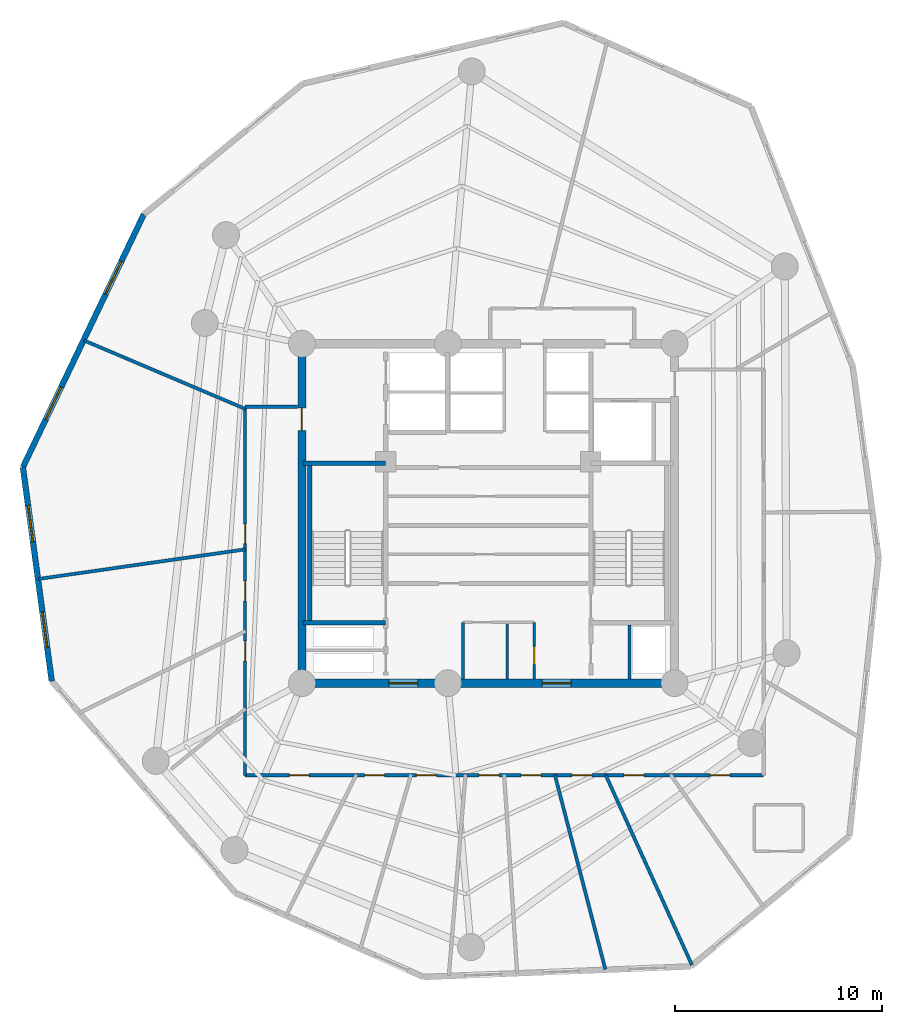
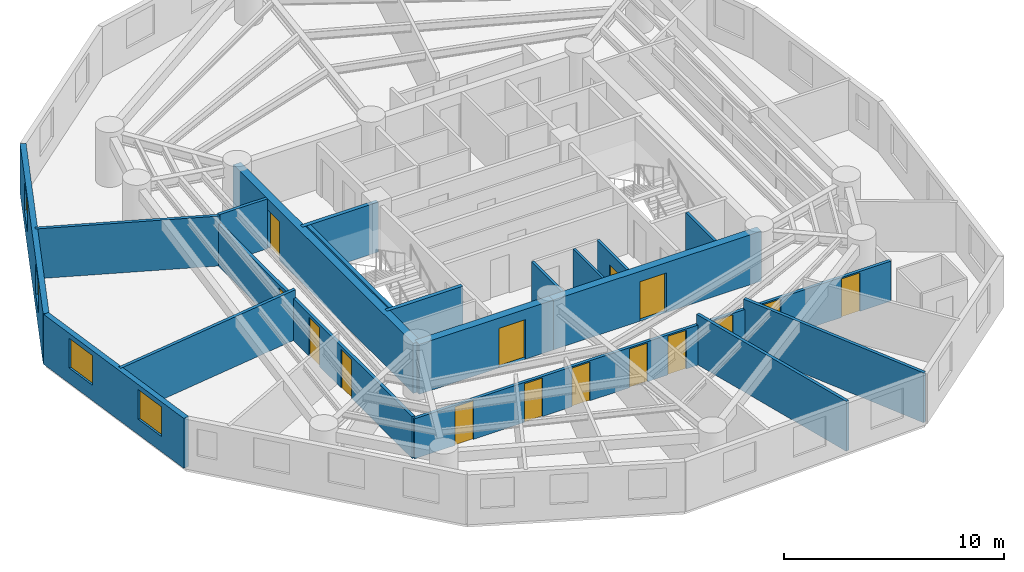
# One storey, part 3 of 7: 19 walls, 15 doors, 4 windows, 19 openings.
"""IFC4 building model written with IfcOpenShell, lengths in metres."""

from ifc_helpers import new_model, si_unit, direction, frame, frame_2d, origin, origin_with_axes, place, context, subcontext, project, spatial, rectangle, extrude, source, transform, mapped, material, layer, layer_set, type_object, element, fill, save


model = new_model("IFC4")

# Units and contexts
model_context = context("Model", 3, precision=1e-05, world=origin(), true_north=direction((0.0, 1.0)))
body_context = subcontext(model_context, "Body", "Model", "MODEL_VIEW")
ifc_project = project(units=[si_unit("LENGTHUNIT", "METRE"), si_unit("AREAUNIT", "SQUARE_METRE"), si_unit("VOLUMEUNIT", "CUBIC_METRE"), si_unit("PLANEANGLEUNIT", "RADIAN"), si_unit("MASSUNIT", "GRAM", prefix="KILO")], contexts=[model_context])

# Site, building, storey
site_placement = place(None, origin())
site = spatial("IfcSite", under=ifc_project, at=site_placement, CompositionType="ELEMENT")
building_placement = place(site_placement, origin())
building = spatial("IfcBuilding", under=site, at=building_placement, Name="Karkom Vertical University and Central Library", CompositionType="ELEMENT")
storey_placement = place(building_placement, frame((0.0, 0.0, 205.35009765625)))
storey = spatial("IfcBuildingStorey", under=building, at=storey_placement, Name="L60", CompositionType="ELEMENT", Elevation=205.35009765625)

# Wall, openings, windows
ifc_material_1 = material(Name="Brick-faced precast concrete C45/55", Category="masonry")
ifc_layer_1 = layer(ifc_material_1, 0.280029296875)
ifc_layer_set_1 = layer_set([ifc_layer_1], Name="Brick-faced precast concrete C45/55")
wall_type_1 = type_object("IfcWallType", Name="ENV-WL-BRK-280", PredefinedType="SOLIDWALL", material=ifc_layer_set_1)
wall_1_placement = place(storey_placement, frame((6.017578125, 28.7353515625, 0.0), z_axis=(0.0, 0.0, 1.0), x_axis=(0.133628013706, -0.991031560523, 0.0)))
wall_1 = element("IfcWall", 1, at=wall_1_placement, inside=storey, type_object=wall_type_1, Name="Level 60 Brick-Faced Precast Facade Wall 01", PredefinedType="SOLIDWALL", context=body_context, shape_type="SweptSolid", body=[
    extrude(rectangle(XDim=10.439453125, YDim=0.280029296875, at=frame_2d((5.2197265625, 0.0))), origin(), (0.0, 0.0, 1.0), 2.77490234375),
])
opening_1_placement = place(wall_1_placement, frame((1.882080078125, 0.0, 0.85009765625)))
opening_1 = element("IfcOpeningElement", 2, at=opening_1_placement, cuts=wall_1, Name="Opening WN-08", PredefinedType="OPENING", context=body_context, shape_type="SweptSolid", body=[
    extrude(rectangle(XDim=1.75, YDim=1.64990234375, at=frame_2d((0.875, 0.824951171875))), frame((0.0, 0.14990234375, 0.0), z_axis=(0.0, -1.0, 0.0), x_axis=(1.0, 0.0, 0.0)), (0.0, 0.0, 1.0), 0.300048828125),
])
opening_2_placement = place(wall_1_placement, frame((7.0419921875, 0.0, 0.85009765625)))
opening_2 = element("IfcOpeningElement", 3, at=opening_2_placement, cuts=wall_1, Name="Opening WN-08", PredefinedType="OPENING", context=body_context, shape_type="SweptSolid", body=[
    extrude(rectangle(XDim=1.75, YDim=1.64990234375, at=frame_2d((0.875, 0.824951171875))), frame((0.0, 0.14990234375, 0.0), z_axis=(0.0, -1.0, 0.0), x_axis=(1.0, 0.0, 0.0)), (0.0, 0.0, 1.0), 0.300048828125),
])
ifc_material_2 = material(Name="Aluminium thermal-break frame with solar-control IGU", Category="aluminium")
window_type = type_object("IfcWindowType", Name="ENV-WIN-WN-08", PartitioningType="SINGLE_PANEL", PredefinedType="WINDOW", material=ifc_material_2)
shared_shape_1 = source(origin_with_axes(), body_context, "Body", "SweptSolid", [
    extrude(rectangle(XDim=1.75, YDim=1.64990234375, at=frame_2d((0.875, 0.824951171875))), frame((0.0, 0.030029296875, 0.0), z_axis=(0.0, -1.0, 0.0), x_axis=(1.0, 0.0, 0.0)), (0.0, 0.0, 1.0), 0.06005859375),
])
window_1_placement = place(opening_1_placement, origin())
window_1 = element("IfcWindow", 4, at=window_1_placement, inside=storey, type_object=window_type, Name="Level 60 Punched Window 1.1", OverallHeight=1.64990234375, OverallWidth=1.75, PartitioningType="SINGLE_PANEL", PredefinedType="WINDOW", context=body_context, shape_type="MappedRepresentation", body=[
    mapped(shared_shape_1, transform((0.0, 0.0, 0.0), scale=1.0)),
])
fill(opening_1, window_1)
window_2_placement = place(opening_2_placement, origin())
window_2 = element("IfcWindow", 5, at=window_2_placement, inside=storey, type_object=window_type, Name="Level 60 Punched Window 1.2", OverallHeight=1.64990234375, OverallWidth=1.75, PartitioningType="SINGLE_PANEL", PredefinedType="WINDOW", context=body_context, shape_type="MappedRepresentation", body=[
    mapped(shared_shape_1, transform((0.0, 0.0, 0.0), scale=1.0)),
])
fill(opening_2, window_2)

wall_2_placement = place(storey_placement, frame((11.859619140625, 40.95458984375, 0.0), z_axis=(0.0, 0.0, 1.0), x_axis=(-0.431338769866, -0.902190038523, 0.0)))
wall_2 = element("IfcWall", 6, at=wall_2_placement, inside=storey, type_object=wall_type_1, Name="Level 60 Brick-Faced Precast Facade Wall 12", PredefinedType="SOLIDWALL", context=body_context, shape_type="SweptSolid", body=[
    extrude(rectangle(XDim=13.5439453125, YDim=0.280029296875, at=frame_2d((6.77197265625, 0.0))), origin(), (0.0, 0.0, 1.0), 2.77490234375),
])
opening_3_placement = place(wall_2_placement, frame((2.52880859375, 0.0, 0.85009765625)))
opening_3 = element("IfcOpeningElement", 7, at=opening_3_placement, cuts=wall_2, Name="Opening WN-08", PredefinedType="OPENING", context=body_context, shape_type="SweptSolid", body=[
    extrude(rectangle(XDim=1.75, YDim=1.64990234375, at=frame_2d((0.875, 0.824951171875))), frame((0.0, 0.14990234375, 0.0), z_axis=(0.0, -1.0, 0.0), x_axis=(1.0, 0.0, 0.0)), (0.0, 0.0, 1.0), 0.300048828125),
])
opening_4_placement = place(wall_2_placement, frame((9.24072265625, 0.0, 0.85009765625)))
opening_4 = element("IfcOpeningElement", 8, at=opening_4_placement, cuts=wall_2, Name="Opening WN-08", PredefinedType="OPENING", context=body_context, shape_type="SweptSolid", body=[
    extrude(rectangle(XDim=1.75, YDim=1.64990234375, at=frame_2d((0.875, 0.824951171875))), frame((0.0, 0.14990234375, 0.0), z_axis=(0.0, -1.0, 0.0), x_axis=(1.0, 0.0, 0.0)), (0.0, 0.0, 1.0), 0.300048828125),
])
window_3_placement = place(opening_3_placement, origin())
window_3 = element("IfcWindow", 9, at=window_3_placement, inside=storey, type_object=window_type, Name="Level 60 Punched Window 12.1", OverallHeight=1.64990234375, OverallWidth=1.75, PartitioningType="SINGLE_PANEL", PredefinedType="WINDOW", context=body_context, shape_type="MappedRepresentation", body=[
    mapped(shared_shape_1, transform((0.0, 0.0, 0.0), scale=1.0)),
])
fill(opening_3, window_3)
window_4_placement = place(opening_4_placement, origin())
window_4 = element("IfcWindow", 10, at=window_4_placement, inside=storey, type_object=window_type, Name="Level 60 Punched Window 12.2", OverallHeight=1.64990234375, OverallWidth=1.75, PartitioningType="SINGLE_PANEL", PredefinedType="WINDOW", context=body_context, shape_type="MappedRepresentation", body=[
    mapped(shared_shape_1, transform((0.0, 0.0, 0.0), scale=1.0)),
])
fill(opening_4, window_4)

# Wall, openings, doors
ifc_material_3 = material(Name="Insulated metal-stud drywall 160mm", Category="gypsum")
ifc_layer_2 = layer(ifc_material_3, 0.159912109375)
ifc_layer_set_2 = layer_set([ifc_layer_2], Name="Insulated metal-stud drywall 160mm")
wall_type_2 = type_object("IfcWallType", Name="INT-WL-COR-160", PredefinedType="PARTITIONING", material=ifc_layer_set_2)
wall_3_placement = place(storey_placement, frame((41.800048828125, 13.85009765625, 0.0), z_axis=(0.0, 0.0, 1.0), x_axis=(-1.0, 0.0, 0.0)))
wall_3 = element("IfcWall", 11, at=wall_3_placement, inside=storey, type_object=wall_type_2, Name="Level 60 Interior Partition Wall L60-CORW-CW-001", PredefinedType="PARTITIONING", context=body_context, shape_type="SweptSolid", body=[
    extrude(rectangle(XDim=25.050048828125, YDim=0.159912109375, at=frame_2d((12.52490234375, 0.0))), origin(), (0.0, 0.0, 1.0), 2.224853515625),
])
opening_5_placement = place(wall_3_placement, frame((1.6201171875, 0.0, 0.0)))
opening_5 = element("IfcOpeningElement", 12, at=opening_5_placement, cuts=wall_3, Name="Opening FD-RM2", PredefinedType="OPENING", context=body_context, shape_type="SweptSolid", body=[
    extrude(rectangle(XDim=0.9599609375, YDim=2.14990234375, at=frame_2d((0.47998046875, 1.074951171875))), frame((0.0, 0.08984375, 0.0), z_axis=(0.0, -1.0, 0.0), x_axis=(1.0, 0.0, 0.0)), (0.0, 0.0, 1.0), 0.179931640625),
])
opening_6_placement = place(wall_3_placement, frame((21.951904296875, 0.0, 0.0)))
opening_6 = element("IfcOpeningElement", 13, at=opening_6_placement, cuts=wall_3, Name="Opening FD-RM2", PredefinedType="OPENING", context=body_context, shape_type="SweptSolid", body=[
    extrude(rectangle(XDim=0.9599609375, YDim=2.14990234375, at=frame_2d((0.47998046875, 1.074951171875))), frame((0.0, 0.08984375, 0.0), z_axis=(0.0, -1.0, 0.0), x_axis=(1.0, 0.0, 0.0)), (0.0, 0.0, 1.0), 0.179931640625),
])
opening_7_placement = place(wall_3_placement, frame((18.3125, 0.0, 0.0)))
opening_7 = element("IfcOpeningElement", 14, at=opening_7_placement, cuts=wall_3, Name="Opening FD-RM2", PredefinedType="OPENING", context=body_context, shape_type="SweptSolid", body=[
    extrude(rectangle(XDim=0.9599609375, YDim=2.14990234375, at=frame_2d((0.47998046875, 1.074951171875))), frame((0.0, 0.08984375, 0.0), z_axis=(0.0, -1.0, 0.0), x_axis=(1.0, 0.0, 0.0)), (0.0, 0.0, 1.0), 0.179931640625),
])
opening_8_placement = place(wall_3_placement, frame((15.8076171875, 0.0, 0.0)))
opening_8 = element("IfcOpeningElement", 15, at=opening_8_placement, cuts=wall_3, Name="Opening FD-RM2", PredefinedType="OPENING", context=body_context, shape_type="SweptSolid", body=[
    extrude(rectangle(XDim=0.9599609375, YDim=2.14990234375, at=frame_2d((0.47998046875, 1.074951171875))), frame((0.0, 0.08984375, 0.0), z_axis=(0.0, -1.0, 0.0), x_axis=(1.0, 0.0, 0.0)), (0.0, 0.0, 1.0), 0.179931640625),
])
opening_9_placement = place(wall_3_placement, frame((12.7900390625, 0.0, 0.0)))
opening_9 = element("IfcOpeningElement", 16, at=opening_9_placement, cuts=wall_3, Name="Opening FD-RM2", PredefinedType="OPENING", context=body_context, shape_type="SweptSolid", body=[
    extrude(rectangle(XDim=0.9599609375, YDim=2.14990234375, at=frame_2d((0.47998046875, 1.074951171875))), frame((0.0, 0.08984375, 0.0), z_axis=(0.0, -1.0, 0.0), x_axis=(1.0, 0.0, 0.0)), (0.0, 0.0, 1.0), 0.179931640625),
])
opening_10_placement = place(wall_3_placement, frame((10.75634765625, 0.0, 0.0)))
opening_10 = element("IfcOpeningElement", 17, at=opening_10_placement, cuts=wall_3, Name="Opening FD-RM2", PredefinedType="OPENING", context=body_context, shape_type="SweptSolid", body=[
    extrude(rectangle(XDim=0.9599609375, YDim=2.14990234375, at=frame_2d((0.47998046875, 1.074951171875))), frame((0.0, 0.08984375, 0.0), z_axis=(0.0, -1.0, 0.0), x_axis=(1.0, 0.0, 0.0)), (0.0, 0.0, 1.0), 0.179931640625),
])
opening_11_placement = place(wall_3_placement, frame((8.29248046875, 0.0, 0.0)))
opening_11 = element("IfcOpeningElement", 18, at=opening_11_placement, cuts=wall_3, Name="Opening FD-RM2", PredefinedType="OPENING", context=body_context, shape_type="SweptSolid", body=[
    extrude(rectangle(XDim=0.9599609375, YDim=2.14990234375, at=frame_2d((0.47998046875, 1.074951171875))), frame((0.0, 0.08984375, 0.0), z_axis=(0.0, -1.0, 0.0), x_axis=(1.0, 0.0, 0.0)), (0.0, 0.0, 1.0), 0.179931640625),
])
opening_12_placement = place(wall_3_placement, frame((5.78759765625, 0.0, 0.0)))
opening_12 = element("IfcOpeningElement", 19, at=opening_12_placement, cuts=wall_3, Name="Opening FD-RM2", PredefinedType="OPENING", context=body_context, shape_type="SweptSolid", body=[
    extrude(rectangle(XDim=0.9599609375, YDim=2.14990234375, at=frame_2d((0.47998046875, 1.074951171875))), frame((0.0, 0.08984375, 0.0), z_axis=(0.0, -1.0, 0.0), x_axis=(1.0, 0.0, 0.0)), (0.0, 0.0, 1.0), 0.179931640625),
])
ifc_material_4 = material(Name="Fire-rated oak veneer door", Category="wood")
door_type_1 = type_object("IfcDoorType", Name="INT-DR-FRM2", OperationType="NOTDEFINED", PredefinedType="DOOR", material=ifc_material_4)
shared_shape_2 = source(origin_with_axes(), body_context, "Body", "SweptSolid", [
    extrude(rectangle(XDim=0.9599609375, YDim=2.14990234375, at=frame_2d((0.47998046875, 1.074951171875))), frame((0.0, 0.02490234375, 0.0), z_axis=(0.0, -1.0, 0.0), x_axis=(1.0, 0.0, 0.0)), (0.0, 0.0, 1.0), 0.050048828125),
])
door_1_placement = place(opening_5_placement, origin())
door_1 = element("IfcDoor", 20, at=door_1_placement, inside=storey, type_object=door_type_1, Name="Level 60 Room Entry Door 090", OperationType="SINGLE_SWING_RIGHT", OverallHeight=2.14990234375, OverallWidth=0.9599609375, PredefinedType="DOOR", context=body_context, shape_type="MappedRepresentation", body=[
    mapped(shared_shape_2, transform((0.0, 0.0, 0.0), scale=1.0)),
])
fill(opening_5, door_1)
door_2_placement = place(opening_6_placement, origin())
door_2 = element("IfcDoor", 21, at=door_2_placement, inside=storey, type_object=door_type_1, Name="Level 60 Room Entry Door 021", OperationType="SINGLE_SWING_LEFT", OverallHeight=2.14990234375, OverallWidth=0.9599609375, PredefinedType="DOOR", context=body_context, shape_type="MappedRepresentation", body=[
    mapped(shared_shape_2, transform((0.0, 0.0, 0.0), scale=1.0)),
])
fill(opening_6, door_2)
door_3_placement = place(opening_7_placement, origin())
door_3 = element("IfcDoor", 22, at=door_3_placement, inside=storey, type_object=door_type_1, Name="Level 60 Room Entry Door 031", OperationType="SINGLE_SWING_RIGHT", OverallHeight=2.14990234375, OverallWidth=0.9599609375, PredefinedType="DOOR", context=body_context, shape_type="MappedRepresentation", body=[
    mapped(shared_shape_2, transform((0.0, 0.0, 0.0), scale=1.0)),
])
fill(opening_7, door_3)
door_4_placement = place(opening_8_placement, origin())
door_4 = element("IfcDoor", 23, at=door_4_placement, inside=storey, type_object=door_type_1, Name="Level 60 Room Entry Door 041", OperationType="SINGLE_SWING_LEFT", OverallHeight=2.14990234375, OverallWidth=0.9599609375, PredefinedType="DOOR", context=body_context, shape_type="MappedRepresentation", body=[
    mapped(shared_shape_2, transform((0.0, 0.0, 0.0), scale=1.0)),
])
fill(opening_8, door_4)
door_5_placement = place(opening_9_placement, origin())
door_5 = element("IfcDoor", 24, at=door_5_placement, inside=storey, type_object=door_type_1, Name="Level 60 Room Entry Door 051", OperationType="SINGLE_SWING_RIGHT", OverallHeight=2.14990234375, OverallWidth=0.9599609375, PredefinedType="DOOR", context=body_context, shape_type="MappedRepresentation", body=[
    mapped(shared_shape_2, transform((0.0, 0.0, 0.0), scale=1.0)),
])
fill(opening_9, door_5)
door_6_placement = place(opening_10_placement, origin())
door_6 = element("IfcDoor", 25, at=door_6_placement, inside=storey, type_object=door_type_1, Name="Level 60 Room Entry Door 061", OperationType="SINGLE_SWING_LEFT", OverallHeight=2.14990234375, OverallWidth=0.9599609375, PredefinedType="DOOR", context=body_context, shape_type="MappedRepresentation", body=[
    mapped(shared_shape_2, transform((0.0, 0.0, 0.0), scale=1.0)),
])
fill(opening_10, door_6)
door_7_placement = place(opening_11_placement, origin())
door_7 = element("IfcDoor", 26, at=door_7_placement, inside=storey, type_object=door_type_1, Name="Level 60 Room Entry Door 071", OperationType="SINGLE_SWING_RIGHT", OverallHeight=2.14990234375, OverallWidth=0.9599609375, PredefinedType="DOOR", context=body_context, shape_type="MappedRepresentation", body=[
    mapped(shared_shape_2, transform((0.0, 0.0, 0.0), scale=1.0)),
])
fill(opening_11, door_7)
door_8_placement = place(opening_12_placement, origin())
door_8 = element("IfcDoor", 27, at=door_8_placement, inside=storey, type_object=door_type_1, Name="Level 60 Room Entry Door 081", OperationType="SINGLE_SWING_LEFT", OverallHeight=2.14990234375, OverallWidth=0.9599609375, PredefinedType="DOOR", context=body_context, shape_type="MappedRepresentation", body=[
    mapped(shared_shape_2, transform((0.0, 0.0, 0.0), scale=1.0)),
])
fill(opening_12, door_8)

wall_4_placement = place(storey_placement, frame((16.75, 13.85009765625, 0.0), z_axis=(0.0, 0.0, 1.0), x_axis=(0.0, 1.0, 0.0)))
wall_4 = element("IfcWall", 28, at=wall_4_placement, inside=storey, type_object=wall_type_2, Name="Level 60 Interior Partition Wall L60-CORW-CW-002", PredefinedType="PARTITIONING", context=body_context, shape_type="SweptSolid", body=[
    extrude(rectangle(XDim=17.7998046875, YDim=0.159912109375, at=frame_2d((8.89990234375, 0.0))), origin(), (0.0, 0.0, 1.0), 2.324951171875),
])
opening_13_placement = place(wall_4_placement, frame((8.425048828125, 0.0, 0.0)))
opening_13 = element("IfcOpeningElement", 29, at=opening_13_placement, cuts=wall_4, Name="Opening FD-RM2", PredefinedType="OPENING", context=body_context, shape_type="SweptSolid", body=[
    extrude(rectangle(XDim=0.9599609375, YDim=2.14990234375, at=frame_2d((0.47998046875, 1.074951171875))), frame((0.0, 0.08984375, 0.0), z_axis=(0.0, -1.0, 0.0), x_axis=(1.0, 0.0, 0.0)), (0.0, 0.0, 1.0), 0.179931640625),
])
opening_14_placement = place(wall_4_placement, frame((5.514892578125, 0.0, 0.0)))
opening_14 = element("IfcOpeningElement", 30, at=opening_14_placement, cuts=wall_4, Name="Opening FD-RM2", PredefinedType="OPENING", context=body_context, shape_type="SweptSolid", body=[
    extrude(rectangle(XDim=0.9599609375, YDim=2.14990234375, at=frame_2d((0.47998046875, 1.074951171875))), frame((0.0, 0.08984375, 0.0), z_axis=(0.0, -1.0, 0.0), x_axis=(1.0, 0.0, 0.0)), (0.0, 0.0, 1.0), 0.179931640625),
])
opening_15_placement = place(wall_4_placement, frame((11.18505859375, 0.0, 0.0)))
opening_15 = element("IfcOpeningElement", 31, at=opening_15_placement, cuts=wall_4, Name="Opening FD-RM2", PredefinedType="OPENING", context=body_context, shape_type="SweptSolid", body=[
    extrude(rectangle(XDim=0.9599609375, YDim=2.14990234375, at=frame_2d((0.47998046875, 1.074951171875))), frame((0.0, 0.08984375, 0.0), z_axis=(0.0, -1.0, 0.0), x_axis=(1.0, 0.0, 0.0)), (0.0, 0.0, 1.0), 0.179931640625),
])
door_9_placement = place(opening_13_placement, origin())
door_9 = element("IfcDoor", 32, at=door_9_placement, inside=storey, type_object=door_type_1, Name="Level 60 Room Entry Door 001", OperationType="SINGLE_SWING_LEFT", OverallHeight=2.14990234375, OverallWidth=0.9599609375, PredefinedType="DOOR", context=body_context, shape_type="MappedRepresentation", body=[
    mapped(shared_shape_2, transform((0.0, 0.0, 0.0), scale=1.0)),
])
fill(opening_13, door_9)
door_10_placement = place(opening_14_placement, origin())
door_10 = element("IfcDoor", 33, at=door_10_placement, inside=storey, type_object=door_type_1, Name="Level 60 Room Entry Door 011", OperationType="SINGLE_SWING_RIGHT", OverallHeight=2.14990234375, OverallWidth=0.9599609375, PredefinedType="DOOR", context=body_context, shape_type="MappedRepresentation", body=[
    mapped(shared_shape_2, transform((0.0, 0.0, 0.0), scale=1.0)),
])
fill(opening_14, door_10)
door_11_placement = place(opening_15_placement, origin())
door_11 = element("IfcDoor", 34, at=door_11_placement, inside=storey, type_object=door_type_1, Name="Level 60 Room Entry Door 141", OperationType="SINGLE_SWING_RIGHT", OverallHeight=2.14990234375, OverallWidth=0.9599609375, PredefinedType="DOOR", context=body_context, shape_type="MappedRepresentation", body=[
    mapped(shared_shape_2, transform((0.0, 0.0, 0.0), scale=1.0)),
])
fill(opening_15, door_11)

# Walls
wall_5_placement = place(storey_placement, frame((6.771240234375, 23.333251953125, 0.0), z_axis=(0.0, 0.0, 1.0), x_axis=(0.989936469062, 0.141512498464, 0.0)))
element("IfcWall", 35, at=wall_5_placement, inside=storey, type_object=wall_type_2, Name="Level 60 Interior Partition Wall L60-PW-002", PredefinedType="PARTITIONING", context=body_context, shape_type="SweptSolid", body=[
    extrude(rectangle(XDim=10.125244140625, YDim=0.159912109375, at=frame_2d((5.0625, 0.0))), origin(), (0.0, 0.0, 1.0), 2.77490234375),
])
wall_6_placement = place(storey_placement, frame((34.16455078125, 13.877197265625, 0.0), z_axis=(0.0, 0.0, 1.0), x_axis=(0.413396417062, -0.910551153072, 0.0)))
element("IfcWall", 36, at=wall_6_placement, inside=storey, type_object=wall_type_2, Name="Level 60 Interior Partition Wall L60-PW-009", PredefinedType="PARTITIONING", context=body_context, shape_type="SweptSolid", body=[
    extrude(rectangle(XDim=10.091064453125, YDim=0.159912109375, at=frame_2d((5.04541015625, 0.0))), origin(), (0.0, 0.0, 1.0), 2.77490234375),
])
wall_7_placement = place(storey_placement, frame((31.71435546875, 13.87890625, 0.0), z_axis=(0.0, 0.0, 1.0), x_axis=(0.251257746331, -0.96792021619, 0.0)))
element("IfcWall", 37, at=wall_7_placement, inside=storey, type_object=wall_type_2, Name="Level 60 Interior Partition Wall L60-PW-008", PredefinedType="PARTITIONING", context=body_context, shape_type="SweptSolid", body=[
    extrude(rectangle(XDim=9.716796875, YDim=0.159912109375, at=frame_2d((4.8583984375, 0.0))), origin(), (0.0, 0.0, 1.0), 2.77490234375),
])
wall_8_placement = place(storey_placement, frame((16.777587890625, 31.541015625, 0.0), z_axis=(0.0, 0.0, 1.0), x_axis=(-0.920500527901, 0.390741318693, 0.0)))
element("IfcWall", 38, at=wall_8_placement, inside=storey, type_object=wall_type_2, Name="Level 60 Interior Partition Wall L60-PW-015", PredefinedType="PARTITIONING", context=body_context, shape_type="SweptSolid", body=[
    extrude(rectangle(XDim=8.480712890625, YDim=0.159912109375, at=frame_2d((4.240234375, 0.0))), origin(), (0.0, 0.0, 1.0), 2.77490234375),
])
wall_9_placement = place(storey_placement, frame((16.75, 31.64990234375, 0.0), z_axis=(0.0, 0.0, 1.0), x_axis=(1.0, 0.0, 0.0)))
element("IfcWall", 39, at=wall_9_placement, inside=storey, type_object=wall_type_2, Name="Level 60 Interior Partition Wall L60-CORW-CW-003", PredefinedType="PARTITIONING", context=body_context, shape_type="SweptSolid", body=[
    extrude(rectangle(XDim=2.54296875, YDim=0.159912109375, at=frame_2d((1.271484375, 0.0))), origin(), (0.0, 0.0, 1.0), 2.77490234375),
])
ifc_material_5 = material(Name="Moisture-resistant drywall 120mm", Category="gypsum")
ifc_layer_3 = layer(ifc_material_5, 0.1201171875)
ifc_layer_set_3 = layer_set([ifc_layer_3], Name="Moisture-resistant drywall 120mm")
wall_type_3 = type_object("IfcWallType", Name="INT-WL-INT-120", PredefinedType="PARTITIONING", material=ifc_layer_set_3)
wall_10_placement = place(storey_placement, frame((29.419921875, 18.507080078125, 0.0), z_axis=(0.0, 0.0, 1.0), x_axis=(0.0, 1.0, 0.0)))
element("IfcWall", 40, at=wall_10_placement, inside=storey, type_object=wall_type_3, Name="Level 60 Interior Partition Wall L60-CW-K3-DIV", PredefinedType="PARTITIONING", context=body_context, shape_type="SweptSolid", body=[
    extrude(rectangle(XDim=2.66162109375, YDim=0.1201171875, at=frame_2d((1.330810546875, 0.0))), origin(), (0.0, 0.0, 1.0), 2.77490234375),
])
ifc_material_6 = material(Name="Metal-stud gypsum partition 140mm", Category="gypsum")
ifc_layer_4 = layer(ifc_material_6, 0.139892578125)
ifc_layer_set_4 = layer_set([ifc_layer_4], Name="Metal-stud gypsum partition 140mm")
wall_type_4 = type_object("IfcWallType", Name="INT-WL-SUB-140", PredefinedType="PARTITIONING", material=ifc_layer_set_4)
wall_11_placement = place(storey_placement, frame((27.280029296875, 18.507080078125, 0.0), z_axis=(0.0, 0.0, 1.0), x_axis=(0.0, 1.0, 0.0)))
element("IfcWall", 41, at=wall_11_placement, inside=storey, type_object=wall_type_4, Name="Level 60 Interior Partition Wall L60-CW-KBAY-W", PredefinedType="PARTITIONING", context=body_context, shape_type="SweptSolid", body=[
    extrude(rectangle(XDim=2.73291015625, YDim=0.139892578125, at=frame_2d((1.366455078125, 0.0))), origin(), (0.0, 0.0, 1.0), 2.77490234375),
])

# Wall, opening, door
wall_12_placement = place(storey_placement, frame((30.719970703125, 18.507080078125, 0.0), z_axis=(0.0, 0.0, 1.0), x_axis=(0.0, 1.0, 0.0)))
wall_12 = element("IfcWall", 42, at=wall_12_placement, inside=storey, type_object=wall_type_4, Name="Level 60 Interior Partition Wall L60-CW-KBAY-E", PredefinedType="PARTITIONING", context=body_context, shape_type="SweptSolid", body=[
    extrude(rectangle(XDim=2.73291015625, YDim=0.139892578125, at=frame_2d((1.366455078125, 0.0))), origin(), (0.0, 0.0, 1.0), 2.77490234375),
])
opening_16_placement = place(wall_12_placement, frame((0.699951171875, 0.0, 0.0)))
opening_16 = element("IfcOpeningElement", 43, at=opening_16_placement, cuts=wall_12, Name="Opening D-BATH", PredefinedType="OPENING", context=body_context, shape_type="SweptSolid", body=[
    extrude(rectangle(XDim=0.860107421875, YDim=2.10009765625, at=frame_2d((0.43017578125, 1.050048828125))), frame((0.0, 0.080078125, 0.0), z_axis=(0.0, -1.0, 0.0), x_axis=(1.0, 0.0, 0.0)), (0.0, 0.0, 1.0), 0.159912109375),
])
ifc_material_7 = material(Name="Moisture-resistant oak door", Category="wood")
door_type_2 = type_object("IfcDoorType", Name="INT-DR-BATH", OperationType="NOTDEFINED", PredefinedType="DOOR", material=ifc_material_7)
shared_shape_3 = source(origin_with_axes(), body_context, "Body", "SweptSolid", [
    extrude(rectangle(XDim=0.860107421875, YDim=2.10009765625, at=frame_2d((0.43017578125, 1.050048828125))), frame((0.0, 0.02490234375, 0.0), z_axis=(0.0, -1.0, 0.0), x_axis=(1.0, 0.0, 0.0)), (0.0, 0.0, 1.0), 0.050048828125),
])
door_12_placement = place(opening_16_placement, origin())
door_12 = element("IfcDoor", 44, at=door_12_placement, inside=storey, type_object=door_type_2, Name="Level 60 Janitor Door", OperationType="SINGLE_SWING_LEFT", OverallHeight=2.10009765625, OverallWidth=0.860107421875, PredefinedType="DOOR", context=body_context, shape_type="MappedRepresentation", body=[
    mapped(shared_shape_3, transform((0.0, 0.0, 0.0), scale=1.0)),
])
fill(opening_16, door_12)

# Wall
ifc_layer_5 = layer(ifc_material_6, 0.139892578125)
ifc_layer_set_5 = layer_set([ifc_layer_5], Name="Metal-stud gypsum partition 140mm")
wall_type_5 = type_object("IfcWallType", Name="INT-WL-SUB-140H", PredefinedType="PARTITIONING", material=ifc_layer_set_5)
wall_13_placement = place(storey_placement, frame((35.320068359375, 18.507080078125, 0.0), z_axis=(0.0, 0.0, 1.0), x_axis=(0.0, 1.0, 0.0)))
element("IfcWall", 45, at=wall_13_placement, inside=storey, type_object=wall_type_5, Name="Level 60 Interior Partition Wall L60-CW-RIS-E", PredefinedType="PARTITIONING", context=body_context, shape_type="SweptSolid", body=[
    extrude(rectangle(XDim=2.603759765625, YDim=0.139892578125, at=frame_2d((1.3017578125, 0.0))), origin(), (0.0, 0.0, 1.0), 2.77490234375),
])

# Wall, opening, door
ifc_material_8 = material(Name="Concrete C50/60", Category="concrete")
ifc_layer_6 = layer(ifc_material_8, 0.39990234375)
ifc_layer_set_6 = layer_set([ifc_layer_6], Name="Concrete C50/60")
wall_type_6 = type_object("IfcWallType", Name="STR-WL-CW-400", PredefinedType="SHEAR", material=ifc_layer_set_6)
wall_14_placement = place(storey_placement, frame((19.5, 18.300048828125, 0.0), z_axis=(0.0, 0.0, 1.0), x_axis=(1.0, 0.0, 0.0)))
wall_14 = element("IfcWall", 46, at=wall_14_placement, inside=storey, type_object=wall_type_6, Name="Level 60 Central Core Shear Wall SW1", PredefinedType="SHEAR", context=body_context, shape_type="SweptSolid", body=[
    extrude(rectangle(XDim=7.050048828125, YDim=0.39990234375, at=frame_2d((3.52490234375, 0.0))), origin(), (0.0, 0.0, 1.0), 2.77490234375),
])
opening_17_placement = place(wall_14_placement, frame((4.199951171875, 0.0, 0.0)))
opening_17 = element("IfcOpeningElement", 47, at=opening_17_placement, cuts=wall_14, Name="Opening FD-CLB", PredefinedType="OPENING", context=body_context, shape_type="SweptSolid", body=[
    extrude(rectangle(XDim=1.39990234375, YDim=2.199951171875, at=frame_2d((0.699951171875, 1.10009765625))), frame((0.0, 0.2099609375, 0.0), z_axis=(0.0, -1.0, 0.0), x_axis=(1.0, 0.0, 0.0)), (0.0, 0.0, 1.0), 0.419921875),
])
ifc_material_9 = material(Name="Painted steel fire door", Category="steel")
door_type_3 = type_object("IfcDoorType", Name="INT-DR-CLB", OperationType="DOUBLE_DOOR_SINGLE_SWING", PredefinedType="DOOR", material=ifc_material_9)
shared_shape_4 = source(origin_with_axes(), body_context, "Body", "SweptSolid", [
    extrude(rectangle(XDim=1.39990234375, YDim=2.199951171875, at=frame_2d((0.699951171875, 1.10009765625))), frame((0.0, 0.02490234375, 0.0), z_axis=(0.0, -1.0, 0.0), x_axis=(1.0, 0.0, 0.0)), (0.0, 0.0, 1.0), 0.050048828125),
])
door_13_placement = place(opening_17_placement, origin())
door_13 = element("IfcDoor", 48, at=door_13_placement, inside=storey, type_object=door_type_3, Name="Level 60 South Core Lobby West Exit Door", OperationType="DOUBLE_DOOR_SINGLE_SWING", OverallHeight=2.199951171875, OverallWidth=1.39990234375, PredefinedType="DOOR", context=body_context, shape_type="MappedRepresentation", body=[
    mapped(shared_shape_4, transform((0.0, 0.0, 0.0), scale=1.0)),
])
fill(opening_17, door_13)

wall_15_placement = place(storey_placement, frame((26.550048828125, 18.300048828125, 0.0), z_axis=(0.0, 0.0, 1.0), x_axis=(1.0, 0.0, 0.0)))
wall_15 = element("IfcWall", 49, at=wall_15_placement, inside=storey, type_object=wall_type_6, Name="Level 60 Central Core Shear Wall SW2", PredefinedType="SHEAR", context=body_context, shape_type="SweptSolid", body=[
    extrude(rectangle(XDim=10.949951171875, YDim=0.39990234375, at=frame_2d((5.47509765625, 0.0))), origin(), (0.0, 0.0, 1.0), 2.77490234375),
])
opening_18_placement = place(wall_15_placement, frame((4.550048828125, 0.0, 0.0)))
opening_18 = element("IfcOpeningElement", 50, at=opening_18_placement, cuts=wall_15, Name="Opening FD-CLB", PredefinedType="OPENING", context=body_context, shape_type="SweptSolid", body=[
    extrude(rectangle(XDim=1.39990234375, YDim=2.199951171875, at=frame_2d((0.699951171875, 1.10009765625))), frame((0.0, 0.2099609375, 0.0), z_axis=(0.0, -1.0, 0.0), x_axis=(1.0, 0.0, 0.0)), (0.0, 0.0, 1.0), 0.419921875),
])
door_14_placement = place(opening_18_placement, origin())
door_14 = element("IfcDoor", 51, at=door_14_placement, inside=storey, type_object=door_type_3, Name="Level 60 South Core Lobby East Exit Door", OperationType="DOUBLE_DOOR_SINGLE_SWING", OverallHeight=2.199951171875, OverallWidth=1.39990234375, PredefinedType="DOOR", context=body_context, shape_type="MappedRepresentation", body=[
    mapped(shared_shape_4, transform((0.0, 0.0, 0.0), scale=1.0)),
])
fill(opening_18, door_14)

wall_16_placement = place(storey_placement, frame((19.5, 34.699951171875, 0.0), z_axis=(0.0, 0.0, 1.0), x_axis=(0.0, -1.0, 0.0)))
wall_16 = element("IfcWall", 52, at=wall_16_placement, inside=storey, type_object=wall_type_6, Name="Level 60 Central Core Shear Wall WW", PredefinedType="SHEAR", context=body_context, shape_type="SweptSolid", body=[
    extrude(rectangle(XDim=16.39990234375, YDim=0.39990234375, at=frame_2d((8.199951171875, 0.0))), origin(), (0.0, 0.0, 1.0), 2.77490234375),
])
opening_19_placement = place(wall_16_placement, frame((3.10009765625, 0.0, 0.0)))
opening_19 = element("IfcOpeningElement", 53, at=opening_19_placement, cuts=wall_16, Name="Opening FD-FFL", PredefinedType="OPENING", context=body_context, shape_type="SweptSolid", body=[
    extrude(rectangle(XDim=1.10009765625, YDim=2.14990234375, at=frame_2d((0.550048828125, 1.074951171875))), frame((0.0, 0.2099609375, 0.0), z_axis=(0.0, -1.0, 0.0), x_axis=(1.0, 0.0, 0.0)), (0.0, 0.0, 1.0), 0.419921875),
])
ifc_material_10 = material(Name="Painted steel smoke-seal fire door", Category="steel")
door_type_4 = type_object("IfcDoorType", Name="INT-DR-FFL", OperationType="NOTDEFINED", PredefinedType="DOOR", material=ifc_material_10)
shared_shape_5 = source(origin_with_axes(), body_context, "Body", "SweptSolid", [
    extrude(rectangle(XDim=1.10009765625, YDim=2.14990234375, at=frame_2d((0.550048828125, 1.074951171875))), frame((0.0, 0.02490234375, 0.0), z_axis=(0.0, -1.0, 0.0), x_axis=(1.0, 0.0, 0.0)), (0.0, 0.0, 1.0), 0.050048828125),
])
door_15_placement = place(opening_19_placement, origin())
door_15 = element("IfcDoor", 54, at=door_15_placement, inside=storey, type_object=door_type_4, Name="Level 60 West Corridor Firefighting Lobby Door", OperationType="SINGLE_SWING_RIGHT", OverallHeight=2.14990234375, OverallWidth=1.10009765625, PredefinedType="DOOR", context=body_context, shape_type="MappedRepresentation", body=[
    mapped(shared_shape_5, transform((0.0, 0.0, 0.0), scale=1.0)),
])
fill(opening_19, door_15)

# Walls
ifc_material_11 = material(Name="Concrete C45/55", Category="concrete")
ifc_layer_7 = layer(ifc_material_11, 0.199951171875)
ifc_layer_set_7 = layer_set([ifc_layer_7], Name="Concrete C45/55")
wall_type_7 = type_object("IfcWallType", Name="STR-WL-ST-200", PredefinedType="SHEAR", material=ifc_layer_set_7)
wall_17_placement = place(storey_placement, frame((19.875, 21.320068359375, 0.0), z_axis=(0.0, 0.0, 1.0), x_axis=(0.0, 1.0, 0.0)))
element("IfcWall", 55, at=wall_17_placement, inside=storey, type_object=wall_type_7, Name="Level 60 Core Shaft Wall L60-CW-ST1-W", PredefinedType="SHEAR", context=body_context, shape_type="SweptSolid", body=[
    extrude(rectangle(XDim=7.5, YDim=0.199951171875, at=frame_2d((3.75, 0.0))), origin(), (0.0, 0.0, 1.0), 2.77490234375),
])
for number, where, z_axis, x_axis, name in (
    (56, (19.550048828125, 21.215087890625, 0.0), (0.0, 0.0, 1.0), (1.0, 0.0, 0.0), "Level 60 Core Shaft Wall L60-CW-ST1-S"),
    (57, (19.550048828125, 28.925048828125, 0.0), (0.0, 0.0, 1.0), (1.0, 0.0, 0.0), "Level 60 Core Shaft Wall L60-CW-ST1-N"),
):
    element("IfcWall", number, at=place(storey_placement, frame(where, z_axis=z_axis, x_axis=x_axis)), inside=storey, type_object=wall_type_7, Name=name, PredefinedType="SHEAR", context=body_context, shape_type="SweptSolid", body=[
        extrude(rectangle(XDim=3.994873046875, YDim=0.199951171875, at=frame_2d((1.99755859375, 0.0))), origin(), (0.0, 0.0, 1.0), 2.77490234375),
    ])

save(model, "model.ifc")
